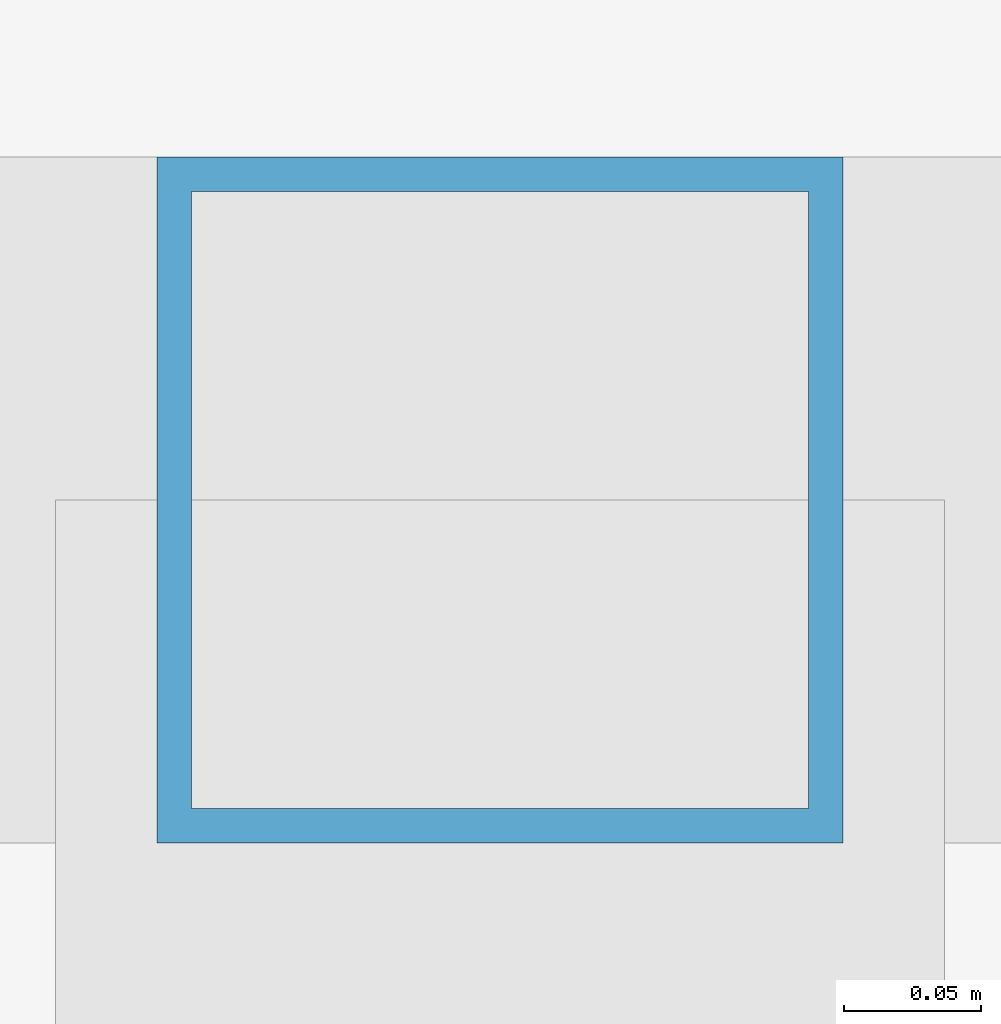
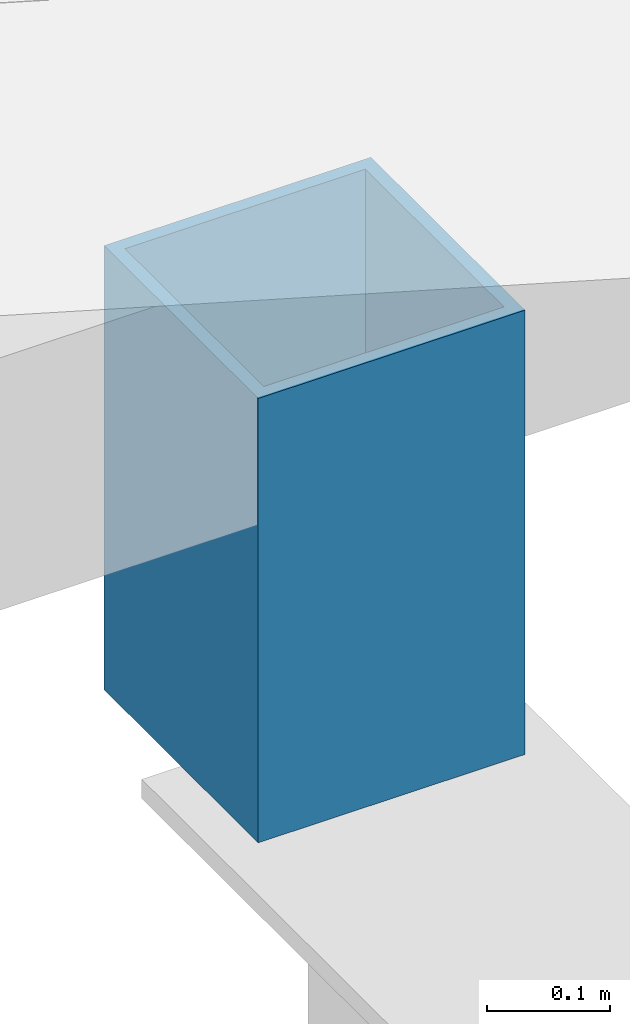
# One storey, part 7 of 13: 1 member.
"""IFC4 building model written with IfcOpenShell, lengths in metres."""

from ifc_helpers import new_model, si_unit, direction, frame, origin, origin_2d, place, context, subcontext, project, spatial, hollow_rectangle, extrude, material, material_profile, profile_set, type_object, element, save


model = new_model("IFC4")

# Units and contexts
model_context = context("Model", 3, precision=1e-05, world=origin(), true_north=direction((0.0, 1.0)))
body_context = subcontext(model_context, "Body", "Model", "MODEL_VIEW")
ifc_project = project(units=[si_unit("LENGTHUNIT", "METRE"), si_unit("AREAUNIT", "SQUARE_METRE"), si_unit("VOLUMEUNIT", "CUBIC_METRE"), si_unit("PLANEANGLEUNIT", "RADIAN"), si_unit("MASSUNIT", "GRAM", prefix="KILO")], contexts=[model_context])

# Site, building, storey
site_placement = place(None, origin())
site = spatial("IfcSite", under=ifc_project, at=site_placement, CompositionType="ELEMENT")
building_placement = place(site_placement, origin())
building = spatial("IfcBuilding", under=site, at=building_placement, Name="Cumbredor Promenade Congress Hotel", CompositionType="ELEMENT")
storey_placement = place(building_placement, frame((0.0, 0.0, 38.639892578125)))
storey = spatial("IfcBuildingStorey", under=building, at=storey_placement, Name="RF", CompositionType="ELEMENT", Elevation=38.639892578125)

# Member
ifc_material = material(Name="Steel ASTM A500 Grade C", Category="steel")
ifc_material_profile = material_profile(ifc_material, hollow_rectangle(XDim=0.25, YDim=0.25, WallThickness=0.012451171875, at=origin_2d()), Name="HSS 250x250x12.5")
ifc_profile_set = profile_set([ifc_material_profile], Name="Steel ASTM A500 Grade C")
member_type = type_object("IfcMemberType", Name="Hotel Tropical Roof Rafter Chord", PredefinedType="RAFTER", material=ifc_profile_set)
member_placement = place(storey_placement, frame((50.39990234375, 116.85009765625, -0.219970703125), z_axis=(0.0, 0.0, 1.0), x_axis=(1.0, 0.0, 0.0)))
element("IfcMember", 1, at=member_placement, inside=storey, type_object=member_type, Name="Hotel Broad-Eave Roof Eave Post X50N", PredefinedType="RAFTER", context=body_context, shape_type="SweptSolid", body=[
    extrude(hollow_rectangle(XDim=0.25, YDim=0.25, WallThickness=0.012451171875, at=origin_2d()), origin(), (0.0, 0.0, 1.0), 0.440185546875),
])

save(model, "model.ifc")
